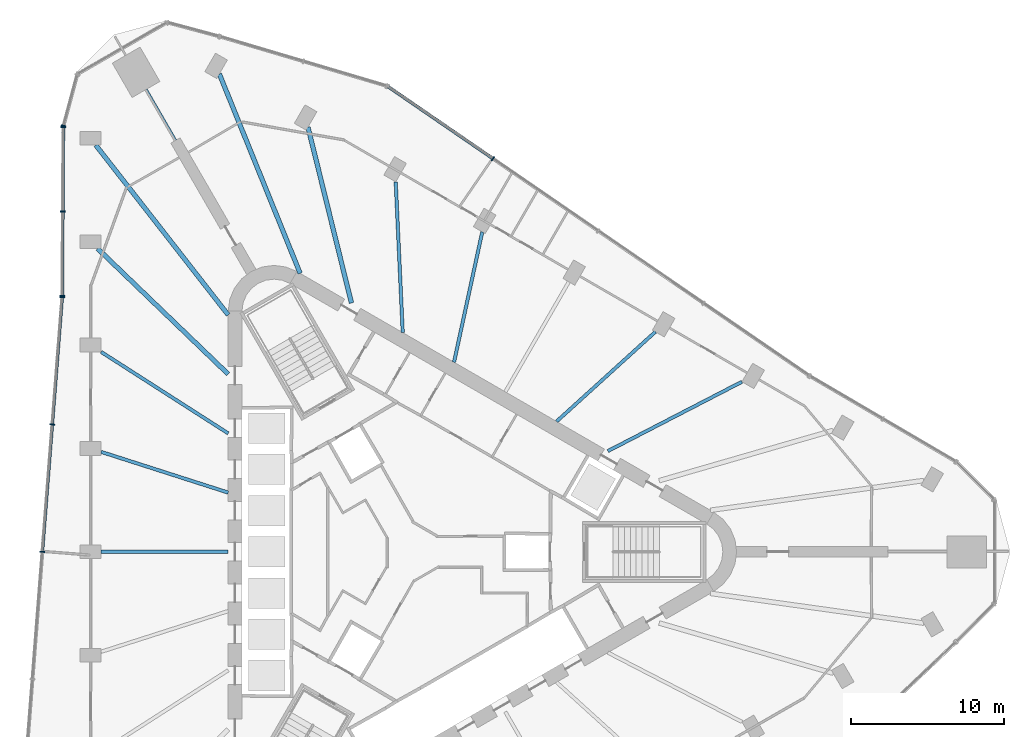
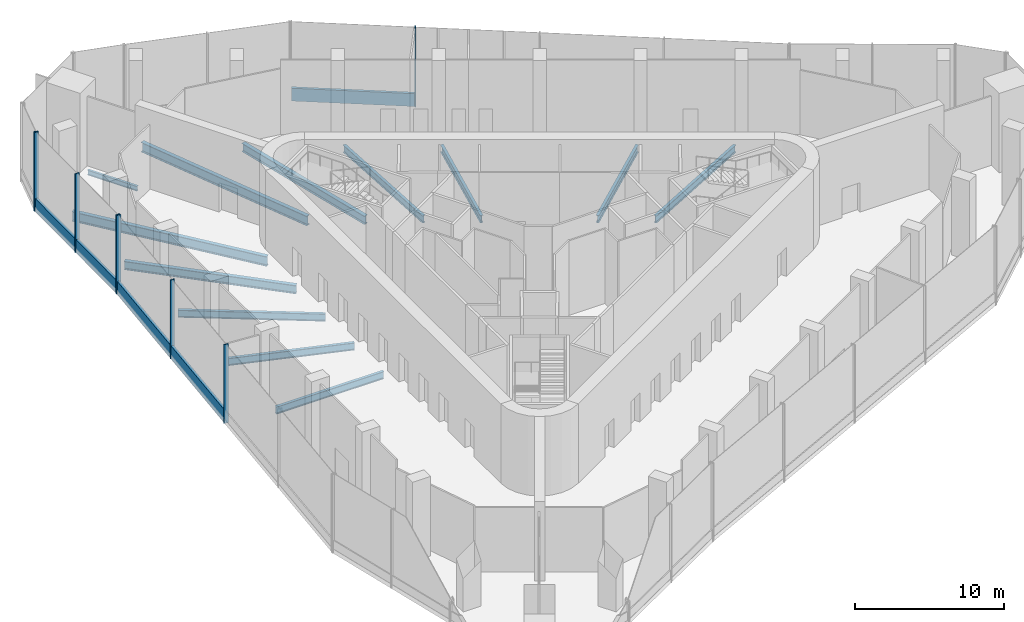
# One storey, part 4 of 15: 13 members, 12 beams, 4 elements without a shape of their own.
"""IFC4 building model written with IfcOpenShell, lengths in metres."""

import ifcopenshell
import ifcopenshell.guid

model = None  # the IFC model being written
_history = None  # IfcOwnerHistory: only IFC2X3 demands one
_inside = {}  # id of a spatial element -> (the spatial element, [elements in it])
_under = {}  # id of a project, library or spatial element -> (it, [spatial elements below it])
_declared = {}  # id of a project -> (the project, [libraries it declares])
_typed = {}  # id of a type object -> (the type object, [elements of that type])
_made_of = {}  # id of a material, layer set ... -> (it, [elements and type objects made of it])


def new_model(schema):
    """Start an empty IFC model of exactly this schema.

    Asked for "IFC4X3", IfcOpenShell would pick the latest addendum, in which some entities
    have other attributes; the version numbers below select the first issue.
    IFC2X3 requires an IfcOwnerHistory on every rooted entity: one is made here for all.
    """
    global model, _history
    if schema == "IFC4X3":
        model = ifcopenshell.file(schema_version=(4, 3, 0, 0))
    else:
        model = ifcopenshell.file(schema=schema)
    _inside.clear()
    _under.clear()
    _declared.clear()
    _typed.clear()
    _made_of.clear()
    _history = None
    if model.schema == "IFC2X3":
        org = make("IfcOrganization", Name="unknown")
        user = make(
            "IfcPersonAndOrganization",
            ThePerson=make("IfcPerson", FamilyName="unknown"),
            TheOrganization=org,
        )
        app = make(
            "IfcApplication",
            ApplicationDeveloper=org,
            Version="unknown",
            ApplicationFullName="unknown",
            ApplicationIdentifier="unknown",
        )
        _history = make(
            "IfcOwnerHistory",
            OwningUser=user,
            OwningApplication=app,
            ChangeAction="ADDED",
            CreationDate=0,
        )
    return model


def make(cls, **values):
    """One entity of the class cls with the attributes given. An attribute that is None is left unset."""
    return model.create_entity(
        cls, **{name: value for name, value in values.items() if value is not None}
    )


def rooted(cls, **values):
    """An entity with a GlobalId (a new one), such as an element, a storey or a relation."""
    return make(cls, GlobalId=ifcopenshell.guid.new(), OwnerHistory=_history, **values)


def si_unit(unit_type, name, prefix=None):
    """IfcSIUnit, for example si_unit("LENGTHUNIT", "METRE", prefix="MILLI")."""
    return make("IfcSIUnit", UnitType=unit_type, Prefix=prefix, Name=name)


def assignment(units):
    """IfcUnitAssignment: the units of a project."""
    return None if units is None else make("IfcUnitAssignment", Units=units)


def point(xyz):
    """IfcCartesianPoint."""
    return None if xyz is None else make("IfcCartesianPoint", Coordinates=xyz)


def direction(xyz):
    """IfcDirection."""
    return None if xyz is None else make("IfcDirection", DirectionRatios=xyz)


def frame(location, z_axis=None, x_axis=None):
    """IfcAxis2Placement3D, a coordinate frame: its origin and axes. An axis left out is left unset."""
    return make(
        "IfcAxis2Placement3D",
        Location=point(location),
        Axis=direction(z_axis),
        RefDirection=direction(x_axis),
    )


def frame_2d(location, x_axis=None):
    """IfcAxis2Placement2D, a coordinate frame in the plane: its origin and x axis."""
    return make(
        "IfcAxis2Placement2D", Location=point(location), RefDirection=direction(x_axis)
    )


def origin():
    """The frame at (0, 0, 0) with its axes left unset."""
    return frame((0.0, 0.0, 0.0))


def origin_2d():
    """The frame at (0, 0) in the plane with its x axis left unset."""
    return frame_2d((0.0, 0.0))


def place(relative_to, where):
    """IfcLocalPlacement: puts the frame where relative to a parent placement (None: the world)."""
    return make(
        "IfcLocalPlacement", PlacementRelTo=relative_to, RelativePlacement=where
    )


def context(
    kind, dimensions, precision=None, world=None, true_north=None, identifier=None
):
    """IfcGeometricRepresentationContext, for example the 3D "Model" context."""
    return make(
        "IfcGeometricRepresentationContext",
        ContextIdentifier=identifier,
        ContextType=kind,
        CoordinateSpaceDimension=dimensions,
        Precision=precision,
        WorldCoordinateSystem=world,
        TrueNorth=true_north,
    )


def subcontext(parent, identifier, kind, view, scale=None):
    """IfcGeometricRepresentationSubContext, for example "Body" below "Model"."""
    return make(
        "IfcGeometricRepresentationSubContext",
        ContextIdentifier=identifier,
        ContextType=kind,
        ParentContext=parent,
        TargetScale=scale,
        TargetView=view,
    )


def project(units=None, contexts=None):
    """IfcProject with its units and contexts."""
    return rooted(
        "IfcProject",
        Name="project",
        RepresentationContexts=contexts,
        UnitsInContext=assignment(units),
    )


def spatial(cls, under=None, at=None, **own):
    """A site, building, storey or space (cls), placed at a placement, below another one or the project."""
    s = rooted(cls, ObjectPlacement=at, **own)
    if under is not None:
        _under.setdefault(under.id(), (under, []))[1].append(s)
    return s


def profile(cls, at=None, kind="AREA", **sizes):
    """A parametric profile (cls). Its sizes go by their IFC names, for example OverallWidth=200.0."""
    return make(cls, ProfileType=kind, Position=at, **sizes)


def rectangle(**sizes):
    """IfcRectangleProfileDef."""
    return profile("IfcRectangleProfileDef", **sizes)


def i_section(**sizes):
    """IfcIShapeProfileDef."""
    return profile("IfcIShapeProfileDef", **sizes)


def extrude(swept, where, along, depth):
    """IfcExtrudedAreaSolid: the profile swept, set in the frame where, extruded along a direction by depth."""
    return make(
        "IfcExtrudedAreaSolid",
        SweptArea=swept,
        Position=where,
        ExtrudedDirection=direction(along),
        Depth=depth,
    )


def shape(context_of_items, identifier, shape_type, items):
    """IfcShapeRepresentation: the items that make up one representation, for example the "Body"."""
    return make(
        "IfcShapeRepresentation",
        ContextOfItems=context_of_items,
        RepresentationIdentifier=identifier,
        RepresentationType=shape_type,
        Items=items,
    )


def material(Name=None, Category=None):
    """IfcMaterial."""
    return make("IfcMaterial", Name=Name, Category=Category)


def material_profile(
    of_material, cross_section, Name=None, Category=None, Priority=None
):
    """IfcMaterialProfile: a cross section and its material."""
    return make(
        "IfcMaterialProfile",
        Name=Name,
        Material=of_material,
        Profile=cross_section,
        Priority=Priority,
        Category=Category,
    )


def profile_set(profiles, Name=None, composite=None):
    """IfcMaterialProfileSet."""
    return make(
        "IfcMaterialProfileSet",
        Name=Name,
        MaterialProfiles=profiles,
        CompositeProfile=composite,
    )


def made_of(thing, what):
    """Note that an element or type object is made of a material, layer set ...; save() writes the relation."""
    if what is not None:
        _made_of.setdefault(what.id(), (what, []))[1].append(thing)
    return thing


def type_object(cls, material=None, **own):
    """A type object (cls), such as IfcWallType, which elements share."""
    return made_of(rooted(cls, **own), material)


def element(
    cls,
    number,
    at=None,
    inside=None,
    cuts=None,
    type_object=None,
    material=None,
    context=None,
    identifier="Body",
    shape_type=None,
    held_by="IfcProductDefinitionShape",
    body=None,
    shapes=None,
    **own,
):
    """One element of the class cls, such as IfcWall. Its Tag is "e" and its number.

    at: its placement. inside: the storey or other place that contains it. cuts: it is an
    opening in that element (IfcRelVoidsElement). A single representation is given by context,
    identifier, shape_type and body (its items); several are given by shapes. held_by: the class
    of the entity that holds the representations. save() writes the other relations.
    """
    e = rooted(cls, Tag="e%d" % number, ObjectPlacement=at, **own)
    if body is not None:
        shapes = [shape(context, identifier, shape_type, body)]
    if shapes is not None:
        e.Representation = make(held_by, Representations=shapes)
    if inside is not None:
        _inside.setdefault(inside.id(), (inside, []))[1].append(e)
    if cuts is not None:
        rooted(
            "IfcRelVoidsElement", RelatingBuildingElement=cuts, RelatedOpeningElement=e
        )
    if type_object is not None:
        _typed.setdefault(type_object.id(), (type_object, []))[1].append(e)
    return made_of(e, material)


def aggregate(whole, parts):
    """IfcRelAggregates: a whole, such as a stair, and the parts it consists of."""
    return rooted("IfcRelAggregates", RelatingObject=whole, RelatedObjects=parts)


def save(model, path):
    """Write the relations noted so far, then the file.

    IfcRelAggregates (storeys below a building ...), IfcRelContainedInSpatialStructure (elements
    in a storey), IfcRelDefinesByType, IfcRelAssociatesMaterial and IfcRelDeclares: one each for
    every whole, place, type object, material and project.
    """
    for whole, parts in _under.values():
        aggregate(whole, parts)
    for where, things in _inside.values():
        rooted(
            "IfcRelContainedInSpatialStructure",
            RelatedElements=things,
            RelatingStructure=where,
        )
    for kind, things in _typed.values():
        rooted("IfcRelDefinesByType", RelatedObjects=things, RelatingType=kind)
    for what, things in _made_of.values():
        rooted("IfcRelAssociatesMaterial", RelatedObjects=things, RelatingMaterial=what)
    for by, libraries in _declared.values():
        rooted("IfcRelDeclares", RelatingContext=by, RelatedDefinitions=libraries)
    model.write(path)


model = new_model("IFC4")

# Units and contexts
model_context = context("Model", 3, precision=1e-05, world=origin(), true_north=direction((0.0, 1.0)))
body_context = subcontext(model_context, "Body", "Model", "MODEL_VIEW")
ifc_project = project(units=[si_unit("LENGTHUNIT", "METRE"), si_unit("AREAUNIT", "SQUARE_METRE"), si_unit("VOLUMEUNIT", "CUBIC_METRE"), si_unit("PLANEANGLEUNIT", "RADIAN"), si_unit("MASSUNIT", "GRAM", prefix="KILO")], contexts=[model_context])

# Site, building, storey
site_placement = place(None, origin())
site = spatial("IfcSite", under=ifc_project, at=site_placement, CompositionType="ELEMENT")
building_placement = place(site_placement, origin())
building = spatial("IfcBuilding", under=site, at=building_placement, Name="Tanit Gate Tower", CompositionType="ELEMENT")
storey_placement = place(building_placement, frame((0.0, 0.0, 277.199951171875)))
storey = spatial("IfcBuildingStorey", under=building, at=storey_placement, Name="L63", CompositionType="ELEMENT", Elevation=277.199951171875)

# Curtain wall, member
ifc_material_1 = material(Name="Aluminium bronze anodised and glass", Category="aluminium")
curtain_wall_type = type_object("IfcCurtainWallType", Name="Curtain wall sky lobby", PredefinedType="NOTDEFINED", material=ifc_material_1)
curtain_wall_1_placement = place(storey_placement, origin())
curtain_wall_1 = element("IfcCurtainWall", 1, at=curtain_wall_1_placement, inside=storey, type_object=curtain_wall_type, Name="Curtain wall L63 NE2", PredefinedType="NOTDEFINED")
ifc_material_2 = material(Name="Aluminium bronze anodised", Category="aluminium")
ifc_material_profile_1 = material_profile(ifc_material_2, rectangle(XDim=0.320068359375, YDim=0.080078125, at=origin_2d()), Name="80x320 bronze mullion")
ifc_profile_set_1 = profile_set([ifc_material_profile_1], Name="Aluminium bronze anodised")
member_type_1 = type_object("IfcMemberType", Name="Mullion 80x320 sky lobby", PredefinedType="MULLION", material=ifc_profile_set_1)
member_1_placement = place(storey_placement, frame((5.240966796875, 25.756103515625, -0.349853515625), z_axis=(0.0, 0.0, 1.0), x_axis=(-0.565779513784, -0.824556572821, 0.0)))
member_1 = element("IfcMember", 2, at=member_1_placement, type_object=member_type_1, Name="Mullion L63 NE2.4", PredefinedType="MULLION", context=body_context, shape_type="SweptSolid", body=[
    extrude(rectangle(XDim=0.320068359375, YDim=0.080078125, at=origin_2d()), origin(), (0.0, 0.0, 1.0), 6.449951171875),
])

curtain_wall_2_placement = place(storey_placement, origin())
curtain_wall_2 = element("IfcCurtainWall", 3, at=curtain_wall_2_placement, inside=storey, type_object=curtain_wall_type, Name="Curtain wall L63 NW.arc3", PredefinedType="NOTDEFINED")
member_2_placement = place(storey_placement, frame((-22.89111328125, 27.906494140625, -0.349853515625), z_axis=(0.0, 0.0, 1.0), x_axis=(0.965925826289, -0.258819045103, 0.0)))
member_2 = element("IfcMember", 4, at=member_2_placement, type_object=member_type_1, Name="Mullion L63 NW.arc3.2", PredefinedType="MULLION", context=body_context, shape_type="SweptSolid", body=[
    extrude(rectangle(XDim=0.320068359375, YDim=0.080078125, at=origin_2d()), origin(), (0.0, 0.0, 1.0), 6.449951171875),
])
aggregate(curtain_wall_2, [member_2])

# Curtain wall, members
curtain_wall_3_placement = place(storey_placement, origin())
curtain_wall_3 = element("IfcCurtainWall", 5, at=curtain_wall_3_placement, inside=storey, type_object=curtain_wall_type, Name="Curtain wall L63 W1", PredefinedType="NOTDEFINED")
member_3_placement = place(storey_placement, frame((-22.90185546875, 27.82763671875, -0.349853515625), z_axis=(0.0, 0.0, 1.0), x_axis=(0.99997968826, -0.006373622797, 0.0)))
member_3 = element("IfcMember", 6, at=member_3_placement, type_object=member_type_1, Name="Mullion L63 W1.1", PredefinedType="MULLION", context=body_context, shape_type="SweptSolid", body=[
    extrude(rectangle(XDim=0.320068359375, YDim=0.080078125, at=origin_2d()), origin(), (0.0, 0.0, 1.0), 6.449951171875),
])
member_4_placement = place(storey_placement, frame((-22.93701171875, 22.296630859375, -0.349853515625), z_axis=(0.0, 0.0, 1.0), x_axis=(0.99997968826, -0.006373622797, 0.0)))
member_4 = element("IfcMember", 7, at=member_4_placement, type_object=member_type_1, Name="Mullion L63 W1.2", PredefinedType="MULLION", context=body_context, shape_type="SweptSolid", body=[
    extrude(rectangle(XDim=0.320068359375, YDim=0.080078125, at=origin_2d()), origin(), (0.0, 0.0, 1.0), 6.449951171875),
])
member_5_placement = place(storey_placement, frame((-22.97216796875, 16.765380859375, -0.349853515625), z_axis=(0.0, 0.0, 1.0), x_axis=(0.99997968826, -0.006373622797, 0.0)))
member_5 = element("IfcMember", 8, at=member_5_placement, type_object=member_type_1, Name="Mullion L63 W1.3", PredefinedType="MULLION", context=body_context, shape_type="SweptSolid", body=[
    extrude(rectangle(XDim=0.320068359375, YDim=0.080078125, at=origin_2d()), origin(), (0.0, 0.0, 1.0), 6.449951171875),
])

curtain_wall_4_placement = place(storey_placement, origin())
curtain_wall_4 = element("IfcCurtainWall", 9, at=curtain_wall_4_placement, inside=storey, type_object=curtain_wall_type, Name="Curtain wall L63 W2", PredefinedType="NOTDEFINED")
member_6_placement = place(storey_placement, frame((-22.9755859375, 16.685546875, -0.349853515625), z_axis=(0.0, 0.0, 1.0), x_axis=(0.996976695812, -0.077701145467, 0.0)))
member_6 = element("IfcMember", 10, at=member_6_placement, type_object=member_type_1, Name="Mullion L63 W2.1", PredefinedType="MULLION", context=body_context, shape_type="SweptSolid", body=[
    extrude(rectangle(XDim=0.320068359375, YDim=0.080078125, at=origin_2d()), origin(), (0.0, 0.0, 1.0), 6.449951171875),
])
member_7_placement = place(storey_placement, frame((-23.625732421875, 8.34375, -0.349853515625), z_axis=(0.0, 0.0, 1.0), x_axis=(0.996976695812, -0.077701145467, 0.0)))
member_7 = element("IfcMember", 11, at=member_7_placement, type_object=member_type_1, Name="Mullion L63 W2.2", PredefinedType="MULLION", context=body_context, shape_type="SweptSolid", body=[
    extrude(rectangle(XDim=0.320068359375, YDim=0.080078125, at=origin_2d()), origin(), (0.0, 0.0, 1.0), 6.449951171875),
])
member_8_placement = place(storey_placement, frame((-24.27587890625, 0.002197265625, -0.349853515625), z_axis=(0.0, 0.0, 1.0), x_axis=(0.996976695812, -0.077701145467, 0.0)))
member_8 = element("IfcMember", 12, at=member_8_placement, type_object=member_type_1, Name="Mullion L63 W2.3", PredefinedType="MULLION", context=body_context, shape_type="SweptSolid", body=[
    extrude(rectangle(XDim=0.320068359375, YDim=0.080078125, at=origin_2d()), origin(), (0.0, 0.0, 1.0), 6.449951171875),
])

# Beams
ifc_material_3 = material(Name="Steel S355", Category="steel")
ifc_material_profile_2 = material_profile(ifc_material_3, i_section(OverallWidth=0.300048828125, OverallDepth=0.68994140625, WebThickness=0.014404296875, FlangeThickness=0.027099609375, FilletRadius=0.027099609375, at=origin_2d()), Name="HEA 700")
ifc_profile_set_2 = profile_set([ifc_material_profile_2], Name="Steel S355")
beam_type_1 = type_object("IfcBeamType", Name="RADIAL GIRDER HEA 700 S355", PredefinedType="BEAM", material=ifc_profile_set_2)
beam_1_placement = place(storey_placement, frame((-6.875, 27.818115234375, -0.695068359375), z_axis=(0.239929921854, -0.970790210395, 0.0), x_axis=(0.970790210395, 0.239929921854, 0.0)))
element("IfcBeam", 13, at=beam_1_placement, inside=storey, type_object=beam_type_1, Name="RADIAL GIRDER", PredefinedType="BEAM", context=body_context, shape_type="SweptSolid", body=[
    extrude(i_section(OverallWidth=0.300048828125, OverallDepth=0.68994140625, WebThickness=0.014404296875, FlangeThickness=0.027099609375, FilletRadius=0.027099609375, at=origin_2d()), origin(), (0.0, 0.0, 1.0), 11.86474609375),
])
beam_2_placement = place(storey_placement, frame((-20.653564453125, 19.86279296875, -0.695068359375), z_axis=(0.720779680612, -0.693164231634, 0.0), x_axis=(0.693164231634, 0.720779680612, 0.0)))
element("IfcBeam", 14, at=beam_2_placement, inside=storey, type_object=beam_type_1, Name="RADIAL GIRDER", PredefinedType="BEAM", context=body_context, shape_type="SweptSolid", body=[
    extrude(i_section(OverallWidth=0.300048828125, OverallDepth=0.68994140625, WebThickness=0.014404296875, FlangeThickness=0.027099609375, FilletRadius=0.027099609375, at=origin_2d()), origin(), (0.0, 0.0, 1.0), 11.8642578125),
])
ifc_material_4 = material(Name="Steel S355", Category="steel")
ifc_material_profile_3 = material_profile(ifc_material_4, i_section(OverallWidth=0.300048828125, OverallDepth=0.7900390625, WebThickness=0.014892578125, FlangeThickness=0.028076171875, FilletRadius=0.030029296875, at=origin_2d()), Name="HEA 800")
ifc_profile_set_3 = profile_set([ifc_material_profile_3], Name="Steel S355")
beam_type_2 = type_object("IfcBeamType", Name="RADIAL GIRDER HEA 800 S355", PredefinedType="BEAM", material=ifc_profile_set_3)
beam_3_placement = place(storey_placement, frame((-12.680419921875, 31.3046875, -0.744873046875), z_axis=(0.375439354179, -0.926846962197, 0.0), x_axis=(0.926846962197, 0.375439354179, 0.0)))
element("IfcBeam", 15, at=beam_3_placement, inside=storey, type_object=beam_type_2, Name="RADIAL GIRDER", PredefinedType="BEAM", context=body_context, shape_type="SweptSolid", body=[
    extrude(i_section(OverallWidth=0.300048828125, OverallDepth=0.7900390625, WebThickness=0.014892578125, FlangeThickness=0.028076171875, FilletRadius=0.030029296875, at=origin_2d()), origin(), (0.0, 0.0, 1.0), 14.09619140625),
])
beam_4_placement = place(storey_placement, frame((-20.7705078125, 26.6337890625, -0.744873046875), z_axis=(0.614960509334, -0.788557906536, 0.0), x_axis=(0.788557906536, 0.614960509334, 0.0)))
element("IfcBeam", 16, at=beam_4_placement, inside=storey, type_object=beam_type_2, Name="RADIAL GIRDER", PredefinedType="BEAM", context=body_context, shape_type="SweptSolid", body=[
    extrude(i_section(OverallWidth=0.300048828125, OverallDepth=0.7900390625, WebThickness=0.014892578125, FlangeThickness=0.028076171875, FilletRadius=0.030029296875, at=origin_2d()), origin(), (0.0, 0.0, 1.0), 14.095947265625),
])
ifc_material_5 = material(Name="Steel S355", Category="steel")
ifc_material_profile_4 = material_profile(ifc_material_5, i_section(OverallWidth=0.179931640625, OverallDepth=0.39990234375, WebThickness=0.008544921875, FlangeThickness=0.013427734375, FilletRadius=0.02099609375, at=origin_2d()), Name="IPE 400")
ifc_profile_set_4 = profile_set([ifc_material_profile_4], Name="Steel S355")
beam_type_3 = type_object("IfcBeamType", Name="RADIAL GIRDER IPE 400 S355", PredefinedType="BEAM", material=ifc_profile_set_4)
beam_5_placement = place(storey_placement, frame((-17.485107421875, 30.28515625, -0.550048828125), z_axis=(0.499980071345, -0.866036909293, 0.0), x_axis=(0.866036909293, 0.499980071345, 0.0)))
element("IfcBeam", 17, at=beam_5_placement, inside=storey, type_object=beam_type_3, Name="RADIAL GIRDER", PredefinedType="BEAM", context=body_context, shape_type="SweptSolid", body=[
    extrude(i_section(OverallWidth=0.179931640625, OverallDepth=0.39990234375, WebThickness=0.008544921875, FlangeThickness=0.013427734375, FilletRadius=0.02099609375, at=origin_2d()), origin(), (0.0, 0.0, 1.0), 3.855712890625),
])
ifc_material_6 = material(Name="Steel S355", Category="steel")
ifc_material_profile_5 = material_profile(ifc_material_6, i_section(OverallWidth=0.219970703125, OverallDepth=0.60009765625, WebThickness=0.011962890625, FlangeThickness=0.01904296875, FilletRadius=0.02392578125, at=origin_2d()), Name="IPE 600")
ifc_profile_set_5 = profile_set([ifc_material_profile_5], Name="Steel S355")
beam_type_4 = type_object("IfcBeamType", Name="RADIAL GIRDER IPE 600 S355", PredefinedType="BEAM", material=ifc_profile_set_5)
beam_6_placement = place(storey_placement, frame((21.5498046875, 11.138916015625, -0.64990234375), z_axis=(-0.888343449029, -0.459179612534, 0.0), x_axis=(0.459179612534, -0.888343449029, 0.0)))
element("IfcBeam", 18, at=beam_6_placement, inside=storey, type_object=beam_type_4, Name="RADIAL GIRDER", PredefinedType="BEAM", context=body_context, shape_type="SweptSolid", body=[
    extrude(i_section(OverallWidth=0.219970703125, OverallDepth=0.60009765625, WebThickness=0.011962890625, FlangeThickness=0.01904296875, FilletRadius=0.02392578125, at=origin_2d()), origin(), (0.0, 0.0, 1.0), 9.882568359375),
])
for number, where, z_axis, x_axis, name in (
    (19, (15.88037109375, 14.412109375, -0.64990234375), (-0.740510084362, -0.672045247701, 0.0), (0.672045247701, -0.740510084362, 0.0), "RADIAL GIRDER"),
    (20, (4.541259765625, 20.958740234375, -0.64990234375), (-0.211767137826, -0.977320151914, 0.0), (0.977320151914, -0.211767137826, 0.0), "RADIAL GIRDER"),
):
    element("IfcBeam", number, at=place(storey_placement, frame(where, z_axis=z_axis, x_axis=x_axis)), inside=storey, type_object=beam_type_4, Name=name, PredefinedType="BEAM", context=body_context, shape_type="SweptSolid", body=[
        extrude(i_section(OverallWidth=0.219970703125, OverallDepth=0.60009765625, WebThickness=0.011962890625, FlangeThickness=0.01904296875, FilletRadius=0.02392578125, at=origin_2d()), origin(), (0.0, 0.0, 1.0), 8.736572265625),
    ])
beam_7_placement = place(storey_placement, frame((-1.12841796875, 24.232177734375, -0.64990234375), z_axis=(0.046517005863, -0.998917498178, 0.0), x_axis=(0.998917498178, 0.046517005863, 0.0)))
element("IfcBeam", 21, at=beam_7_placement, inside=storey, type_object=beam_type_4, Name="RADIAL GIRDER", PredefinedType="BEAM", context=body_context, shape_type="SweptSolid", body=[
    extrude(i_section(OverallWidth=0.219970703125, OverallDepth=0.60009765625, WebThickness=0.011962890625, FlangeThickness=0.01904296875, FilletRadius=0.02392578125, at=origin_2d()), origin(), (0.0, 0.0, 1.0), 9.8828125),
])
beam_8_placement = place(storey_placement, frame((-20.42138671875, 13.09326171875, -0.64990234375), z_axis=(0.841829634381, -0.539743334075, 0.0), x_axis=(0.539743334075, 0.841829634381, 0.0)))
element("IfcBeam", 22, at=beam_8_placement, inside=storey, type_object=beam_type_4, Name="RADIAL GIRDER", PredefinedType="BEAM", context=body_context, shape_type="SweptSolid", body=[
    extrude(i_section(OverallWidth=0.219970703125, OverallDepth=0.60009765625, WebThickness=0.011962890625, FlangeThickness=0.01904296875, FilletRadius=0.02392578125, at=origin_2d()), origin(), (0.0, 0.0, 1.0), 9.88232421875),
])
beam_9_placement = place(storey_placement, frame((-20.42138671875, 6.546630859375, -0.64990234375), z_axis=(0.952264375412, -0.305274563828, 0.0), x_axis=(0.305274563828, 0.952264375412, 0.0)))
element("IfcBeam", 23, at=beam_9_placement, inside=storey, type_object=beam_type_4, Name="RADIAL GIRDER", PredefinedType="BEAM", context=body_context, shape_type="SweptSolid", body=[
    extrude(i_section(OverallWidth=0.219970703125, OverallDepth=0.60009765625, WebThickness=0.011962890625, FlangeThickness=0.01904296875, FilletRadius=0.02392578125, at=origin_2d()), origin(), (0.0, 0.0, 1.0), 8.736328125),
])
beam_10_placement = place(storey_placement, frame((-20.42138671875, 0.0, -0.64990234375), z_axis=(1.0, 0.0, 0.0), x_axis=(0.0, 1.0, 0.0)))
element("IfcBeam", 24, at=beam_10_placement, inside=storey, type_object=beam_type_4, Name="RADIAL GIRDER", PredefinedType="BEAM", context=body_context, shape_type="SweptSolid", body=[
    extrude(i_section(OverallWidth=0.219970703125, OverallDepth=0.60009765625, WebThickness=0.011962890625, FlangeThickness=0.01904296875, FilletRadius=0.02392578125, at=origin_2d()), origin(), (0.0, 0.0, 1.0), 8.3193359375),
])

# Member
ifc_material_7 = material(Name="Aluminium bronze anodised", Category="aluminium")
ifc_material_profile_6 = material_profile(ifc_material_7, rectangle(XDim=0.199951171875, YDim=1.050048828125, at=origin_2d()), Name="200x1050 bronze transom")
ifc_profile_set_6 = profile_set([ifc_material_profile_6], Name="Aluminium bronze anodised")
member_type_2 = type_object("IfcMemberType", Name="Transom 200x1050 sky lobby", PredefinedType="USERDEFINED", material=ifc_profile_set_6)
member_9_placement = place(storey_placement, frame((5.2080078125, 25.77880859375, 0.175048828125), z_axis=(-0.824560783398, 0.565773377318, 0.0), x_axis=(-0.565773377318, -0.824560783398, 0.0)))
member_9 = element("IfcMember", 25, at=member_9_placement, type_object=member_type_2, Name="Transom L63 NE2.4", ObjectType="TRANSOM", PredefinedType="USERDEFINED", context=body_context, shape_type="SweptSolid", body=[
    extrude(rectangle(XDim=0.199951171875, YDim=1.050048828125, at=origin_2d()), origin(), (0.0, 0.0, 1.0), 8.286865234375),
])

aggregate(curtain_wall_1, [member_1, member_9])

member_10_placement = place(storey_placement, frame((-22.902099609375, 27.787841796875, 0.175048828125), z_axis=(-0.006359599087, -0.999979777545, 0.0), x_axis=(0.999979777545, -0.006359599087, 0.0)))
member_10 = element("IfcMember", 26, at=member_10_placement, type_object=member_type_2, Name="Transom L63 W1.1", ObjectType="TRANSOM", PredefinedType="USERDEFINED", context=body_context, shape_type="SweptSolid", body=[
    extrude(rectangle(XDim=0.199951171875, YDim=1.050048828125, at=origin_2d()), origin(), (0.0, 0.0, 1.0), 5.451171875),
])

member_11_placement = place(storey_placement, frame((-22.937255859375, 22.256591796875, 0.175048828125), z_axis=(-0.006359314285, -0.999979779356, 0.0), x_axis=(0.999979779356, -0.006359314285, 0.0)))
member_11 = element("IfcMember", 27, at=member_11_placement, type_object=member_type_2, Name="Transom L63 W1.2", ObjectType="TRANSOM", PredefinedType="USERDEFINED", context=body_context, shape_type="SweptSolid", body=[
    extrude(rectangle(XDim=0.199951171875, YDim=1.050048828125, at=origin_2d()), origin(), (0.0, 0.0, 1.0), 5.451416015625),
])

aggregate(curtain_wall_3, [member_3, member_4, member_5, member_10, member_11])

member_12_placement = place(storey_placement, frame((-22.978759765625, 16.6455078125, 0.175048828125), z_axis=(-0.07769000697, -0.996977563848, 0.0), x_axis=(0.996977563848, -0.07769000697, 0.0)))
member_12 = element("IfcMember", 28, at=member_12_placement, type_object=member_type_2, Name="Transom L63 W2.1", ObjectType="TRANSOM", PredefinedType="USERDEFINED", context=body_context, shape_type="SweptSolid", body=[
    extrude(rectangle(XDim=0.199951171875, YDim=1.050048828125, at=origin_2d()), origin(), (0.0, 0.0, 1.0), 8.286865234375),
])

member_13_placement = place(storey_placement, frame((-23.62890625, 8.303955078125, 0.175048828125), z_axis=(-0.07768772509, -0.996977741662, 0.0), x_axis=(0.996977741662, -0.07768772509, 0.0)))
member_13 = element("IfcMember", 29, at=member_13_placement, type_object=member_type_2, Name="Transom L63 W2.2", ObjectType="TRANSOM", PredefinedType="USERDEFINED", context=body_context, shape_type="SweptSolid", body=[
    extrude(rectangle(XDim=0.199951171875, YDim=1.050048828125, at=origin_2d()), origin(), (0.0, 0.0, 1.0), 8.287109375),
])

aggregate(curtain_wall_4, [member_6, member_7, member_8, member_12, member_13])

save(model, "model.ifc")
